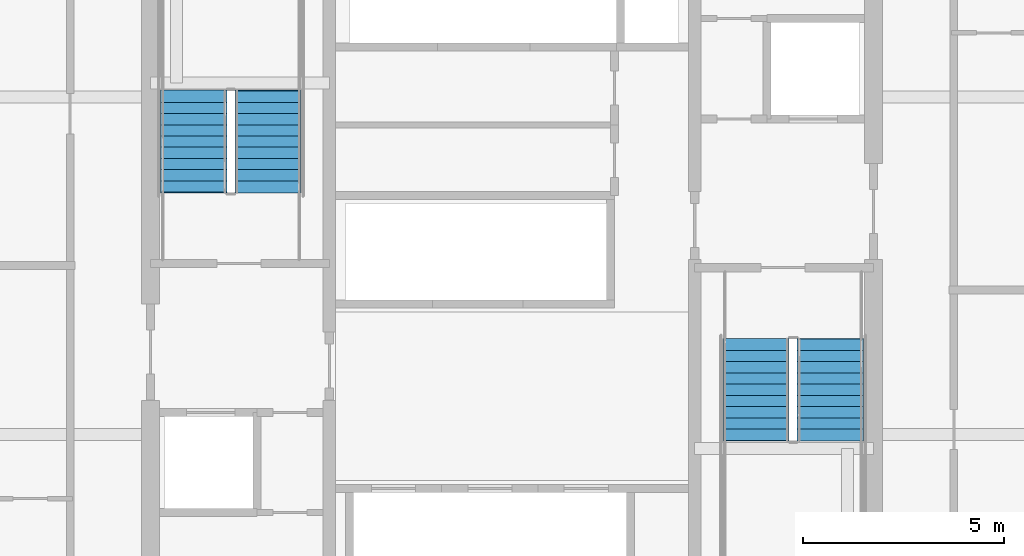
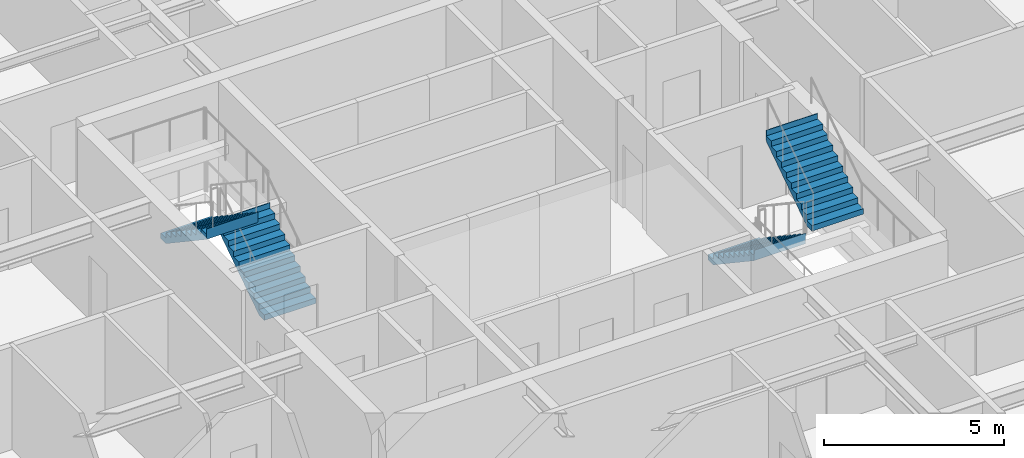
# One storey, part 33 of 38: 4 stair flights, 2 elements without a shape of their own.
"""IFC4 building model written with IfcOpenShell, lengths in metres."""

from ifc_helpers import new_model, si_unit, direction, frame, origin, place, context, subcontext, project, spatial, polygons, material, type_object, element, aggregate, save


model = new_model("IFC4")

# Units and contexts
model_context = context("Model", 3, precision=1e-05, world=origin(), true_north=direction((0.0, 1.0)))
body_context = subcontext(model_context, "Body", "Model", "MODEL_VIEW")
ifc_project = project(units=[si_unit("LENGTHUNIT", "METRE"), si_unit("AREAUNIT", "SQUARE_METRE"), si_unit("VOLUMEUNIT", "CUBIC_METRE"), si_unit("PLANEANGLEUNIT", "RADIAN"), si_unit("MASSUNIT", "GRAM", prefix="KILO")], contexts=[model_context])

# Site, building, storey
site_placement = place(None, origin())
site = spatial("IfcSite", under=ifc_project, at=site_placement, CompositionType="ELEMENT")
building_placement = place(site_placement, origin())
building = spatial("IfcBuilding", under=site, at=building_placement, Name="Serunith Strait Residences", CompositionType="ELEMENT")
storey_placement = place(building_placement, frame((0.0, 0.0, 37.949951171875)))
storey = spatial("IfcBuildingStorey", under=building, at=storey_placement, Name="L08", CompositionType="ELEMENT", Elevation=37.949951171875)

# Stair, stair flights
ifc_material = material(Name="Concrete C50/60", Category="concrete")
stair_type_1 = type_object("IfcStairType", Name="STR-CORE-1", PredefinedType="HALF_TURN_STAIR", material=ifc_material)
stair_1_placement = place(storey_placement, origin())
stair_1 = element("IfcStair", 1, at=stair_1_placement, inside=storey, type_object=stair_type_1, Name="L08 Protected Escape Stair ST-1", PredefinedType="HALF_TURN_STAIR")
stair_flight_type_1 = type_object("IfcStairFlightType", Name="FLT-CORE-1", PredefinedType="STRAIGHT", material=ifc_material)
stair_flight_1_placement = place(storey_placement, frame((26.324951171875, 27.030029296875, 0.0), z_axis=(0.0, 0.0, 1.0), x_axis=(0.0, 1.0, 0.0)))
stair_flight_1 = element("IfcStairFlight", 2, at=stair_flight_1_placement, type_object=stair_flight_type_1, Name="ST-1 flight 1", NumberOfRisers=10, NumberOfTreads=9, PredefinedType="STRAIGHT", RiserHeight=0.1875, TreadLength=0.28, context=body_context, shape_type="Tessellation", body=[
    polygons([(-0.02001953125, -0.824951171875, 0.0), (-0.02001953125, -0.824951171875, 0.1875), (0.280029296875, -0.824951171875, 0.1875), (0.280029296875, -0.824951171875, 0.375), (0.56005859375, -0.824951171875, 0.375), (0.56005859375, -0.824951171875, 0.5625), (0.840087890625, -0.824951171875, 0.5625), (0.840087890625, -0.824951171875, 0.75), (1.1201171875, -0.824951171875, 0.75), (1.1201171875, -0.824951171875, 0.9375), (1.39990234375, -0.824951171875, 0.9375), (1.39990234375, -0.824951171875, 1.125), (1.679931640625, -0.824951171875, 1.125), (1.679931640625, -0.824951171875, 1.3125), (1.9599609375, -0.824951171875, 1.3125), (1.9599609375, -0.824951171875, 1.5), (2.239990234375, -0.824951171875, 1.5), (2.239990234375, -0.824951171875, 1.6875), (2.52001953125, -0.824951171875, 1.6875), (2.52001953125, -0.824951171875, 1.875), (2.5400390625, -0.824951171875, 1.875), (2.5400390625, -0.824951171875, 1.81494140625), (2.52001953125, -0.824951171875, 1.507080078125), (0.26953125, -0.824951171875, 0.0), (-0.02001953125, -0.41259765625, 0.0), (-0.02001953125, -0.41259765625, 0.1875), (0.280029296875, -0.41259765625, 0.1875), (0.280029296875, -0.41259765625, 0.375), (0.56005859375, -0.41259765625, 0.375), (0.56005859375, -0.41259765625, 0.5625), (0.840087890625, -0.41259765625, 0.5625), (0.840087890625, -0.41259765625, 0.75), (1.1201171875, -0.41259765625, 0.75), (1.1201171875, -0.41259765625, 0.9375), (1.39990234375, -0.41259765625, 0.9375), (1.39990234375, -0.41259765625, 1.125), (1.679931640625, -0.41259765625, 1.125), (1.679931640625, -0.41259765625, 1.3125), (1.9599609375, -0.41259765625, 1.3125), (1.9599609375, -0.41259765625, 1.5), (2.239990234375, -0.41259765625, 1.5), (2.239990234375, -0.41259765625, 1.6875), (2.52001953125, -0.41259765625, 1.6875), (2.52001953125, -0.41259765625, 1.875), (2.5400390625, -0.41259765625, 1.875), (2.5400390625, -0.41259765625, 1.81494140625), (2.52001953125, -0.41259765625, 1.507080078125), (0.26953125, -0.41259765625, 0.0), (-0.02001953125, 0.0, 0.0), (-0.02001953125, 0.0, 0.1875), (0.280029296875, 0.0, 0.1875), (0.280029296875, 0.0, 0.375), (0.56005859375, 0.0, 0.375), (0.56005859375, 0.0, 0.5625), (0.840087890625, 0.0, 0.5625), (0.840087890625, 0.0, 0.75), (1.1201171875, 0.0, 0.75), (1.1201171875, 0.0, 0.9375), (1.39990234375, 0.0, 0.9375), (1.39990234375, 0.0, 1.125), (1.679931640625, 0.0, 1.125), (1.679931640625, 0.0, 1.3125), (1.9599609375, 0.0, 1.3125), (1.9599609375, 0.0, 1.5), (2.239990234375, 0.0, 1.5), (2.239990234375, 0.0, 1.6875), (2.52001953125, 0.0, 1.6875), (2.52001953125, 0.0, 1.875), (2.5400390625, 0.0, 1.875), (2.5400390625, 0.0, 1.81494140625), (2.52001953125, 0.0, 1.507080078125), (0.26953125, 0.0, 0.0), (-0.02001953125, 0.41259765625, 0.0), (-0.02001953125, 0.41259765625, 0.1875), (0.280029296875, 0.41259765625, 0.1875), (0.280029296875, 0.41259765625, 0.375), (0.56005859375, 0.41259765625, 0.375), (0.56005859375, 0.41259765625, 0.5625), (0.840087890625, 0.41259765625, 0.5625), (0.840087890625, 0.41259765625, 0.75), (1.1201171875, 0.41259765625, 0.75), (1.1201171875, 0.41259765625, 0.9375), (1.39990234375, 0.41259765625, 0.9375), (1.39990234375, 0.41259765625, 1.125), (1.679931640625, 0.41259765625, 1.125), (1.679931640625, 0.41259765625, 1.3125), (1.9599609375, 0.41259765625, 1.3125), (1.9599609375, 0.41259765625, 1.5), (2.239990234375, 0.41259765625, 1.5), (2.239990234375, 0.41259765625, 1.6875), (2.52001953125, 0.41259765625, 1.6875), (2.52001953125, 0.41259765625, 1.875), (2.5400390625, 0.41259765625, 1.875), (2.5400390625, 0.41259765625, 1.81494140625), (2.52001953125, 0.41259765625, 1.507080078125), (0.26953125, 0.41259765625, 0.0), (-0.02001953125, 0.824951171875, 0.0), (-0.02001953125, 0.824951171875, 0.1875), (0.280029296875, 0.824951171875, 0.1875), (0.280029296875, 0.824951171875, 0.375), (0.56005859375, 0.824951171875, 0.375), (0.56005859375, 0.824951171875, 0.5625), (0.840087890625, 0.824951171875, 0.5625), (0.840087890625, 0.824951171875, 0.75), (1.1201171875, 0.824951171875, 0.75), (1.1201171875, 0.824951171875, 0.9375), (1.39990234375, 0.824951171875, 0.9375), (1.39990234375, 0.824951171875, 1.125), (1.679931640625, 0.824951171875, 1.125), (1.679931640625, 0.824951171875, 1.3125), (1.9599609375, 0.824951171875, 1.3125), (1.9599609375, 0.824951171875, 1.5), (2.239990234375, 0.824951171875, 1.5), (2.239990234375, 0.824951171875, 1.6875), (2.52001953125, 0.824951171875, 1.6875), (2.52001953125, 0.824951171875, 1.875), (2.5400390625, 0.824951171875, 1.875), (2.5400390625, 0.824951171875, 1.81494140625), (2.52001953125, 0.824951171875, 1.507080078125), (0.26953125, 0.824951171875, 0.0)], [[[1, 2, 26, 25]], [[2, 3, 27, 26]], [[3, 4, 28, 27]], [[4, 5, 29, 28]], [[5, 6, 30, 29]], [[6, 7, 31, 30]], [[7, 8, 32, 31]], [[8, 9, 33, 32]], [[9, 10, 34, 33]], [[10, 11, 35, 34]], [[11, 12, 36, 35]], [[12, 13, 37, 36]], [[13, 14, 38, 37]], [[14, 15, 39, 38]], [[15, 16, 40, 39]], [[16, 17, 41, 40]], [[17, 18, 42, 41]], [[18, 19, 43, 42]], [[19, 20, 44, 43]], [[20, 21, 45, 44]], [[21, 22, 46, 45]], [[22, 23, 47, 46]], [[23, 24, 48, 47]], [[24, 1, 25, 48]], [[25, 26, 50, 49]], [[26, 27, 51, 50]], [[27, 28, 52, 51]], [[28, 29, 53, 52]], [[29, 30, 54, 53]], [[30, 31, 55, 54]], [[31, 32, 56, 55]], [[32, 33, 57, 56]], [[33, 34, 58, 57]], [[34, 35, 59, 58]], [[35, 36, 60, 59]], [[36, 37, 61, 60]], [[37, 38, 62, 61]], [[38, 39, 63, 62]], [[39, 40, 64, 63]], [[40, 41, 65, 64]], [[41, 42, 66, 65]], [[42, 43, 67, 66]], [[43, 44, 68, 67]], [[44, 45, 69, 68]], [[45, 46, 70, 69]], [[46, 47, 71, 70]], [[47, 48, 72, 71]], [[48, 25, 49, 72]], [[49, 50, 74, 73]], [[50, 51, 75, 74]], [[51, 52, 76, 75]], [[52, 53, 77, 76]], [[53, 54, 78, 77]], [[54, 55, 79, 78]], [[55, 56, 80, 79]], [[56, 57, 81, 80]], [[57, 58, 82, 81]], [[58, 59, 83, 82]], [[59, 60, 84, 83]], [[60, 61, 85, 84]], [[61, 62, 86, 85]], [[62, 63, 87, 86]], [[63, 64, 88, 87]], [[64, 65, 89, 88]], [[65, 66, 90, 89]], [[66, 67, 91, 90]], [[67, 68, 92, 91]], [[68, 69, 93, 92]], [[69, 70, 94, 93]], [[70, 71, 95, 94]], [[71, 72, 96, 95]], [[72, 49, 73, 96]], [[73, 74, 98, 97]], [[74, 75, 99, 98]], [[75, 76, 100, 99]], [[76, 77, 101, 100]], [[77, 78, 102, 101]], [[78, 79, 103, 102]], [[79, 80, 104, 103]], [[80, 81, 105, 104]], [[81, 82, 106, 105]], [[82, 83, 107, 106]], [[83, 84, 108, 107]], [[84, 85, 109, 108]], [[85, 86, 110, 109]], [[86, 87, 111, 110]], [[87, 88, 112, 111]], [[88, 89, 113, 112]], [[89, 90, 114, 113]], [[90, 91, 115, 114]], [[91, 92, 116, 115]], [[92, 93, 117, 116]], [[93, 94, 118, 117]], [[94, 95, 119, 118]], [[95, 96, 120, 119]], [[96, 73, 97, 120]], [[24, 23, 22, 21, 20, 19, 18, 17, 16, 15, 14, 13, 12, 11, 10, 9, 8, 7, 6, 5, 4, 3, 2, 1]], [[97, 98, 99, 100, 101, 102, 103, 104, 105, 106, 107, 108, 109, 110, 111, 112, 113, 114, 115, 116, 117, 118, 119, 120]]], closed=True),
])
stair_flight_2_placement = place(storey_placement, frame((24.47509765625, 29.550048828125, 1.875), z_axis=(0.0, 0.0, 1.0), x_axis=(0.0, -1.0, 0.0)))
stair_flight_2 = element("IfcStairFlight", 3, at=stair_flight_2_placement, type_object=stair_flight_type_1, Name="ST-1 flight 2", NumberOfRisers=10, NumberOfTreads=9, PredefinedType="STRAIGHT", RiserHeight=0.1875, TreadLength=0.28, context=body_context, shape_type="Tessellation", body=[
    polygons([(-0.02001953125, -0.824951171875, 0.0), (-0.02001953125, -0.824951171875, 0.1875), (0.280029296875, -0.824951171875, 0.1875), (0.280029296875, -0.824951171875, 0.375), (0.56005859375, -0.824951171875, 0.375), (0.56005859375, -0.824951171875, 0.5625), (0.840087890625, -0.824951171875, 0.5625), (0.840087890625, -0.824951171875, 0.75), (1.1201171875, -0.824951171875, 0.75), (1.1201171875, -0.824951171875, 0.9375), (1.39990234375, -0.824951171875, 0.9375), (1.39990234375, -0.824951171875, 1.125), (1.679931640625, -0.824951171875, 1.125), (1.679931640625, -0.824951171875, 1.3125), (1.9599609375, -0.824951171875, 1.3125), (1.9599609375, -0.824951171875, 1.5), (2.239990234375, -0.824951171875, 1.5), (2.239990234375, -0.824951171875, 1.6875), (2.52001953125, -0.824951171875, 1.6875), (2.52001953125, -0.824951171875, 1.875), (2.5400390625, -0.824951171875, 1.875), (2.5400390625, -0.824951171875, 1.81494140625), (2.52001953125, -0.824951171875, 1.507080078125), (0.26953125, -0.824951171875, 0.0), (-0.02001953125, -0.41259765625, 0.0), (-0.02001953125, -0.41259765625, 0.1875), (0.280029296875, -0.41259765625, 0.1875), (0.280029296875, -0.41259765625, 0.375), (0.56005859375, -0.41259765625, 0.375), (0.56005859375, -0.41259765625, 0.5625), (0.840087890625, -0.41259765625, 0.5625), (0.840087890625, -0.41259765625, 0.75), (1.1201171875, -0.41259765625, 0.75), (1.1201171875, -0.41259765625, 0.9375), (1.39990234375, -0.41259765625, 0.9375), (1.39990234375, -0.41259765625, 1.125), (1.679931640625, -0.41259765625, 1.125), (1.679931640625, -0.41259765625, 1.3125), (1.9599609375, -0.41259765625, 1.3125), (1.9599609375, -0.41259765625, 1.5), (2.239990234375, -0.41259765625, 1.5), (2.239990234375, -0.41259765625, 1.6875), (2.52001953125, -0.41259765625, 1.6875), (2.52001953125, -0.41259765625, 1.875), (2.5400390625, -0.41259765625, 1.875), (2.5400390625, -0.41259765625, 1.81494140625), (2.52001953125, -0.41259765625, 1.507080078125), (0.26953125, -0.41259765625, 0.0), (-0.02001953125, 0.0, 0.0), (-0.02001953125, 0.0, 0.1875), (0.280029296875, 0.0, 0.1875), (0.280029296875, 0.0, 0.375), (0.56005859375, 0.0, 0.375), (0.56005859375, 0.0, 0.5625), (0.840087890625, 0.0, 0.5625), (0.840087890625, 0.0, 0.75), (1.1201171875, 0.0, 0.75), (1.1201171875, 0.0, 0.9375), (1.39990234375, 0.0, 0.9375), (1.39990234375, 0.0, 1.125), (1.679931640625, 0.0, 1.125), (1.679931640625, 0.0, 1.3125), (1.9599609375, 0.0, 1.3125), (1.9599609375, 0.0, 1.5), (2.239990234375, 0.0, 1.5), (2.239990234375, 0.0, 1.6875), (2.52001953125, 0.0, 1.6875), (2.52001953125, 0.0, 1.875), (2.5400390625, 0.0, 1.875), (2.5400390625, 0.0, 1.81494140625), (2.52001953125, 0.0, 1.507080078125), (0.26953125, 0.0, 0.0), (-0.02001953125, 0.41259765625, 0.0), (-0.02001953125, 0.41259765625, 0.1875), (0.280029296875, 0.41259765625, 0.1875), (0.280029296875, 0.41259765625, 0.375), (0.56005859375, 0.41259765625, 0.375), (0.56005859375, 0.41259765625, 0.5625), (0.840087890625, 0.41259765625, 0.5625), (0.840087890625, 0.41259765625, 0.75), (1.1201171875, 0.41259765625, 0.75), (1.1201171875, 0.41259765625, 0.9375), (1.39990234375, 0.41259765625, 0.9375), (1.39990234375, 0.41259765625, 1.125), (1.679931640625, 0.41259765625, 1.125), (1.679931640625, 0.41259765625, 1.3125), (1.9599609375, 0.41259765625, 1.3125), (1.9599609375, 0.41259765625, 1.5), (2.239990234375, 0.41259765625, 1.5), (2.239990234375, 0.41259765625, 1.6875), (2.52001953125, 0.41259765625, 1.6875), (2.52001953125, 0.41259765625, 1.875), (2.5400390625, 0.41259765625, 1.875), (2.5400390625, 0.41259765625, 1.81494140625), (2.52001953125, 0.41259765625, 1.507080078125), (0.26953125, 0.41259765625, 0.0), (-0.02001953125, 0.824951171875, 0.0), (-0.02001953125, 0.824951171875, 0.1875), (0.280029296875, 0.824951171875, 0.1875), (0.280029296875, 0.824951171875, 0.375), (0.56005859375, 0.824951171875, 0.375), (0.56005859375, 0.824951171875, 0.5625), (0.840087890625, 0.824951171875, 0.5625), (0.840087890625, 0.824951171875, 0.75), (1.1201171875, 0.824951171875, 0.75), (1.1201171875, 0.824951171875, 0.9375), (1.39990234375, 0.824951171875, 0.9375), (1.39990234375, 0.824951171875, 1.125), (1.679931640625, 0.824951171875, 1.125), (1.679931640625, 0.824951171875, 1.3125), (1.9599609375, 0.824951171875, 1.3125), (1.9599609375, 0.824951171875, 1.5), (2.239990234375, 0.824951171875, 1.5), (2.239990234375, 0.824951171875, 1.6875), (2.52001953125, 0.824951171875, 1.6875), (2.52001953125, 0.824951171875, 1.875), (2.5400390625, 0.824951171875, 1.875), (2.5400390625, 0.824951171875, 1.81494140625), (2.52001953125, 0.824951171875, 1.507080078125), (0.26953125, 0.824951171875, 0.0)], [[[1, 2, 26, 25]], [[2, 3, 27, 26]], [[3, 4, 28, 27]], [[4, 5, 29, 28]], [[5, 6, 30, 29]], [[6, 7, 31, 30]], [[7, 8, 32, 31]], [[8, 9, 33, 32]], [[9, 10, 34, 33]], [[10, 11, 35, 34]], [[11, 12, 36, 35]], [[12, 13, 37, 36]], [[13, 14, 38, 37]], [[14, 15, 39, 38]], [[15, 16, 40, 39]], [[16, 17, 41, 40]], [[17, 18, 42, 41]], [[18, 19, 43, 42]], [[19, 20, 44, 43]], [[20, 21, 45, 44]], [[21, 22, 46, 45]], [[22, 23, 47, 46]], [[23, 24, 48, 47]], [[24, 1, 25, 48]], [[25, 26, 50, 49]], [[26, 27, 51, 50]], [[27, 28, 52, 51]], [[28, 29, 53, 52]], [[29, 30, 54, 53]], [[30, 31, 55, 54]], [[31, 32, 56, 55]], [[32, 33, 57, 56]], [[33, 34, 58, 57]], [[34, 35, 59, 58]], [[35, 36, 60, 59]], [[36, 37, 61, 60]], [[37, 38, 62, 61]], [[38, 39, 63, 62]], [[39, 40, 64, 63]], [[40, 41, 65, 64]], [[41, 42, 66, 65]], [[42, 43, 67, 66]], [[43, 44, 68, 67]], [[44, 45, 69, 68]], [[45, 46, 70, 69]], [[46, 47, 71, 70]], [[47, 48, 72, 71]], [[48, 25, 49, 72]], [[49, 50, 74, 73]], [[50, 51, 75, 74]], [[51, 52, 76, 75]], [[52, 53, 77, 76]], [[53, 54, 78, 77]], [[54, 55, 79, 78]], [[55, 56, 80, 79]], [[56, 57, 81, 80]], [[57, 58, 82, 81]], [[58, 59, 83, 82]], [[59, 60, 84, 83]], [[60, 61, 85, 84]], [[61, 62, 86, 85]], [[62, 63, 87, 86]], [[63, 64, 88, 87]], [[64, 65, 89, 88]], [[65, 66, 90, 89]], [[66, 67, 91, 90]], [[67, 68, 92, 91]], [[68, 69, 93, 92]], [[69, 70, 94, 93]], [[70, 71, 95, 94]], [[71, 72, 96, 95]], [[72, 49, 73, 96]], [[73, 74, 98, 97]], [[74, 75, 99, 98]], [[75, 76, 100, 99]], [[76, 77, 101, 100]], [[77, 78, 102, 101]], [[78, 79, 103, 102]], [[79, 80, 104, 103]], [[80, 81, 105, 104]], [[81, 82, 106, 105]], [[82, 83, 107, 106]], [[83, 84, 108, 107]], [[84, 85, 109, 108]], [[85, 86, 110, 109]], [[86, 87, 111, 110]], [[87, 88, 112, 111]], [[88, 89, 113, 112]], [[89, 90, 114, 113]], [[90, 91, 115, 114]], [[91, 92, 116, 115]], [[92, 93, 117, 116]], [[93, 94, 118, 117]], [[94, 95, 119, 118]], [[95, 96, 120, 119]], [[96, 73, 97, 120]], [[24, 23, 22, 21, 20, 19, 18, 17, 16, 15, 14, 13, 12, 11, 10, 9, 8, 7, 6, 5, 4, 3, 2, 1]], [[97, 98, 99, 100, 101, 102, 103, 104, 105, 106, 107, 108, 109, 110, 111, 112, 113, 114, 115, 116, 117, 118, 119, 120]]], closed=True),
])
aggregate(stair_1, [stair_flight_1, stair_flight_2])

stair_type_2 = type_object("IfcStairType", Name="STR-CORE-2", PredefinedType="HALF_TURN_STAIR", material=ifc_material)
stair_2_placement = place(storey_placement, origin())
stair_2 = element("IfcStair", 4, at=stair_2_placement, inside=storey, type_object=stair_type_2, Name="L08 Protected Escape Stair ST-2", PredefinedType="HALF_TURN_STAIR")
stair_flight_type_2 = type_object("IfcStairFlightType", Name="FLT-CORE-2", PredefinedType="STRAIGHT", material=ifc_material)
stair_flight_3_placement = place(storey_placement, frame((38.47509765625, 23.3701171875, 0.0), z_axis=(0.0, 0.0, 1.0), x_axis=(0.0, -1.0, 0.0)))
stair_flight_3 = element("IfcStairFlight", 5, at=stair_flight_3_placement, type_object=stair_flight_type_2, Name="ST-2 flight 1", NumberOfRisers=10, NumberOfTreads=9, PredefinedType="STRAIGHT", RiserHeight=0.1875, TreadLength=0.28, context=body_context, shape_type="Tessellation", body=[
    polygons([(-0.02001953125, -0.824951171875, 0.0), (-0.02001953125, -0.824951171875, 0.1875), (0.280029296875, -0.824951171875, 0.1875), (0.280029296875, -0.824951171875, 0.375), (0.56005859375, -0.824951171875, 0.375), (0.56005859375, -0.824951171875, 0.5625), (0.840087890625, -0.824951171875, 0.5625), (0.840087890625, -0.824951171875, 0.75), (1.1201171875, -0.824951171875, 0.75), (1.1201171875, -0.824951171875, 0.9375), (1.39990234375, -0.824951171875, 0.9375), (1.39990234375, -0.824951171875, 1.125), (1.679931640625, -0.824951171875, 1.125), (1.679931640625, -0.824951171875, 1.3125), (1.9599609375, -0.824951171875, 1.3125), (1.9599609375, -0.824951171875, 1.5), (2.239990234375, -0.824951171875, 1.5), (2.239990234375, -0.824951171875, 1.6875), (2.52001953125, -0.824951171875, 1.6875), (2.52001953125, -0.824951171875, 1.875), (2.5400390625, -0.824951171875, 1.875), (2.5400390625, -0.824951171875, 1.81494140625), (2.52001953125, -0.824951171875, 1.507080078125), (0.26953125, -0.824951171875, 0.0), (-0.02001953125, -0.41259765625, 0.0), (-0.02001953125, -0.41259765625, 0.1875), (0.280029296875, -0.41259765625, 0.1875), (0.280029296875, -0.41259765625, 0.375), (0.56005859375, -0.41259765625, 0.375), (0.56005859375, -0.41259765625, 0.5625), (0.840087890625, -0.41259765625, 0.5625), (0.840087890625, -0.41259765625, 0.75), (1.1201171875, -0.41259765625, 0.75), (1.1201171875, -0.41259765625, 0.9375), (1.39990234375, -0.41259765625, 0.9375), (1.39990234375, -0.41259765625, 1.125), (1.679931640625, -0.41259765625, 1.125), (1.679931640625, -0.41259765625, 1.3125), (1.9599609375, -0.41259765625, 1.3125), (1.9599609375, -0.41259765625, 1.5), (2.239990234375, -0.41259765625, 1.5), (2.239990234375, -0.41259765625, 1.6875), (2.52001953125, -0.41259765625, 1.6875), (2.52001953125, -0.41259765625, 1.875), (2.5400390625, -0.41259765625, 1.875), (2.5400390625, -0.41259765625, 1.81494140625), (2.52001953125, -0.41259765625, 1.507080078125), (0.26953125, -0.41259765625, 0.0), (-0.02001953125, 0.0, 0.0), (-0.02001953125, 0.0, 0.1875), (0.280029296875, 0.0, 0.1875), (0.280029296875, 0.0, 0.375), (0.56005859375, 0.0, 0.375), (0.56005859375, 0.0, 0.5625), (0.840087890625, 0.0, 0.5625), (0.840087890625, 0.0, 0.75), (1.1201171875, 0.0, 0.75), (1.1201171875, 0.0, 0.9375), (1.39990234375, 0.0, 0.9375), (1.39990234375, 0.0, 1.125), (1.679931640625, 0.0, 1.125), (1.679931640625, 0.0, 1.3125), (1.9599609375, 0.0, 1.3125), (1.9599609375, 0.0, 1.5), (2.239990234375, 0.0, 1.5), (2.239990234375, 0.0, 1.6875), (2.52001953125, 0.0, 1.6875), (2.52001953125, 0.0, 1.875), (2.5400390625, 0.0, 1.875), (2.5400390625, 0.0, 1.81494140625), (2.52001953125, 0.0, 1.507080078125), (0.26953125, 0.0, 0.0), (-0.02001953125, 0.41259765625, 0.0), (-0.02001953125, 0.41259765625, 0.1875), (0.280029296875, 0.41259765625, 0.1875), (0.280029296875, 0.41259765625, 0.375), (0.56005859375, 0.41259765625, 0.375), (0.56005859375, 0.41259765625, 0.5625), (0.840087890625, 0.41259765625, 0.5625), (0.840087890625, 0.41259765625, 0.75), (1.1201171875, 0.41259765625, 0.75), (1.1201171875, 0.41259765625, 0.9375), (1.39990234375, 0.41259765625, 0.9375), (1.39990234375, 0.41259765625, 1.125), (1.679931640625, 0.41259765625, 1.125), (1.679931640625, 0.41259765625, 1.3125), (1.9599609375, 0.41259765625, 1.3125), (1.9599609375, 0.41259765625, 1.5), (2.239990234375, 0.41259765625, 1.5), (2.239990234375, 0.41259765625, 1.6875), (2.52001953125, 0.41259765625, 1.6875), (2.52001953125, 0.41259765625, 1.875), (2.5400390625, 0.41259765625, 1.875), (2.5400390625, 0.41259765625, 1.81494140625), (2.52001953125, 0.41259765625, 1.507080078125), (0.26953125, 0.41259765625, 0.0), (-0.02001953125, 0.824951171875, 0.0), (-0.02001953125, 0.824951171875, 0.1875), (0.280029296875, 0.824951171875, 0.1875), (0.280029296875, 0.824951171875, 0.375), (0.56005859375, 0.824951171875, 0.375), (0.56005859375, 0.824951171875, 0.5625), (0.840087890625, 0.824951171875, 0.5625), (0.840087890625, 0.824951171875, 0.75), (1.1201171875, 0.824951171875, 0.75), (1.1201171875, 0.824951171875, 0.9375), (1.39990234375, 0.824951171875, 0.9375), (1.39990234375, 0.824951171875, 1.125), (1.679931640625, 0.824951171875, 1.125), (1.679931640625, 0.824951171875, 1.3125), (1.9599609375, 0.824951171875, 1.3125), (1.9599609375, 0.824951171875, 1.5), (2.239990234375, 0.824951171875, 1.5), (2.239990234375, 0.824951171875, 1.6875), (2.52001953125, 0.824951171875, 1.6875), (2.52001953125, 0.824951171875, 1.875), (2.5400390625, 0.824951171875, 1.875), (2.5400390625, 0.824951171875, 1.81494140625), (2.52001953125, 0.824951171875, 1.507080078125), (0.26953125, 0.824951171875, 0.0)], [[[1, 2, 26, 25]], [[2, 3, 27, 26]], [[3, 4, 28, 27]], [[4, 5, 29, 28]], [[5, 6, 30, 29]], [[6, 7, 31, 30]], [[7, 8, 32, 31]], [[8, 9, 33, 32]], [[9, 10, 34, 33]], [[10, 11, 35, 34]], [[11, 12, 36, 35]], [[12, 13, 37, 36]], [[13, 14, 38, 37]], [[14, 15, 39, 38]], [[15, 16, 40, 39]], [[16, 17, 41, 40]], [[17, 18, 42, 41]], [[18, 19, 43, 42]], [[19, 20, 44, 43]], [[20, 21, 45, 44]], [[21, 22, 46, 45]], [[22, 23, 47, 46]], [[23, 24, 48, 47]], [[24, 1, 25, 48]], [[25, 26, 50, 49]], [[26, 27, 51, 50]], [[27, 28, 52, 51]], [[28, 29, 53, 52]], [[29, 30, 54, 53]], [[30, 31, 55, 54]], [[31, 32, 56, 55]], [[32, 33, 57, 56]], [[33, 34, 58, 57]], [[34, 35, 59, 58]], [[35, 36, 60, 59]], [[36, 37, 61, 60]], [[37, 38, 62, 61]], [[38, 39, 63, 62]], [[39, 40, 64, 63]], [[40, 41, 65, 64]], [[41, 42, 66, 65]], [[42, 43, 67, 66]], [[43, 44, 68, 67]], [[44, 45, 69, 68]], [[45, 46, 70, 69]], [[46, 47, 71, 70]], [[47, 48, 72, 71]], [[48, 25, 49, 72]], [[49, 50, 74, 73]], [[50, 51, 75, 74]], [[51, 52, 76, 75]], [[52, 53, 77, 76]], [[53, 54, 78, 77]], [[54, 55, 79, 78]], [[55, 56, 80, 79]], [[56, 57, 81, 80]], [[57, 58, 82, 81]], [[58, 59, 83, 82]], [[59, 60, 84, 83]], [[60, 61, 85, 84]], [[61, 62, 86, 85]], [[62, 63, 87, 86]], [[63, 64, 88, 87]], [[64, 65, 89, 88]], [[65, 66, 90, 89]], [[66, 67, 91, 90]], [[67, 68, 92, 91]], [[68, 69, 93, 92]], [[69, 70, 94, 93]], [[70, 71, 95, 94]], [[71, 72, 96, 95]], [[72, 49, 73, 96]], [[73, 74, 98, 97]], [[74, 75, 99, 98]], [[75, 76, 100, 99]], [[76, 77, 101, 100]], [[77, 78, 102, 101]], [[78, 79, 103, 102]], [[79, 80, 104, 103]], [[80, 81, 105, 104]], [[81, 82, 106, 105]], [[82, 83, 107, 106]], [[83, 84, 108, 107]], [[84, 85, 109, 108]], [[85, 86, 110, 109]], [[86, 87, 111, 110]], [[87, 88, 112, 111]], [[88, 89, 113, 112]], [[89, 90, 114, 113]], [[90, 91, 115, 114]], [[91, 92, 116, 115]], [[92, 93, 117, 116]], [[93, 94, 118, 117]], [[94, 95, 119, 118]], [[95, 96, 120, 119]], [[96, 73, 97, 120]], [[24, 23, 22, 21, 20, 19, 18, 17, 16, 15, 14, 13, 12, 11, 10, 9, 8, 7, 6, 5, 4, 3, 2, 1]], [[97, 98, 99, 100, 101, 102, 103, 104, 105, 106, 107, 108, 109, 110, 111, 112, 113, 114, 115, 116, 117, 118, 119, 120]]], closed=True),
])
stair_flight_4_placement = place(storey_placement, frame((40.324951171875, 20.85009765625, 1.875), z_axis=(0.0, 0.0, 1.0), x_axis=(0.0, 1.0, 0.0)))
stair_flight_4 = element("IfcStairFlight", 6, at=stair_flight_4_placement, type_object=stair_flight_type_2, Name="ST-2 flight 2", NumberOfRisers=10, NumberOfTreads=9, PredefinedType="STRAIGHT", RiserHeight=0.1875, TreadLength=0.28, context=body_context, shape_type="Tessellation", body=[
    polygons([(-0.02001953125, -0.824951171875, 0.0), (-0.02001953125, -0.824951171875, 0.1875), (0.280029296875, -0.824951171875, 0.1875), (0.280029296875, -0.824951171875, 0.375), (0.56005859375, -0.824951171875, 0.375), (0.56005859375, -0.824951171875, 0.5625), (0.840087890625, -0.824951171875, 0.5625), (0.840087890625, -0.824951171875, 0.75), (1.1201171875, -0.824951171875, 0.75), (1.1201171875, -0.824951171875, 0.9375), (1.39990234375, -0.824951171875, 0.9375), (1.39990234375, -0.824951171875, 1.125), (1.679931640625, -0.824951171875, 1.125), (1.679931640625, -0.824951171875, 1.3125), (1.9599609375, -0.824951171875, 1.3125), (1.9599609375, -0.824951171875, 1.5), (2.239990234375, -0.824951171875, 1.5), (2.239990234375, -0.824951171875, 1.6875), (2.52001953125, -0.824951171875, 1.6875), (2.52001953125, -0.824951171875, 1.875), (2.5400390625, -0.824951171875, 1.875), (2.5400390625, -0.824951171875, 1.81494140625), (2.52001953125, -0.824951171875, 1.507080078125), (0.26953125, -0.824951171875, 0.0), (-0.02001953125, -0.41259765625, 0.0), (-0.02001953125, -0.41259765625, 0.1875), (0.280029296875, -0.41259765625, 0.1875), (0.280029296875, -0.41259765625, 0.375), (0.56005859375, -0.41259765625, 0.375), (0.56005859375, -0.41259765625, 0.5625), (0.840087890625, -0.41259765625, 0.5625), (0.840087890625, -0.41259765625, 0.75), (1.1201171875, -0.41259765625, 0.75), (1.1201171875, -0.41259765625, 0.9375), (1.39990234375, -0.41259765625, 0.9375), (1.39990234375, -0.41259765625, 1.125), (1.679931640625, -0.41259765625, 1.125), (1.679931640625, -0.41259765625, 1.3125), (1.9599609375, -0.41259765625, 1.3125), (1.9599609375, -0.41259765625, 1.5), (2.239990234375, -0.41259765625, 1.5), (2.239990234375, -0.41259765625, 1.6875), (2.52001953125, -0.41259765625, 1.6875), (2.52001953125, -0.41259765625, 1.875), (2.5400390625, -0.41259765625, 1.875), (2.5400390625, -0.41259765625, 1.81494140625), (2.52001953125, -0.41259765625, 1.507080078125), (0.26953125, -0.41259765625, 0.0), (-0.02001953125, 0.0, 0.0), (-0.02001953125, 0.0, 0.1875), (0.280029296875, 0.0, 0.1875), (0.280029296875, 0.0, 0.375), (0.56005859375, 0.0, 0.375), (0.56005859375, 0.0, 0.5625), (0.840087890625, 0.0, 0.5625), (0.840087890625, 0.0, 0.75), (1.1201171875, 0.0, 0.75), (1.1201171875, 0.0, 0.9375), (1.39990234375, 0.0, 0.9375), (1.39990234375, 0.0, 1.125), (1.679931640625, 0.0, 1.125), (1.679931640625, 0.0, 1.3125), (1.9599609375, 0.0, 1.3125), (1.9599609375, 0.0, 1.5), (2.239990234375, 0.0, 1.5), (2.239990234375, 0.0, 1.6875), (2.52001953125, 0.0, 1.6875), (2.52001953125, 0.0, 1.875), (2.5400390625, 0.0, 1.875), (2.5400390625, 0.0, 1.81494140625), (2.52001953125, 0.0, 1.507080078125), (0.26953125, 0.0, 0.0), (-0.02001953125, 0.41259765625, 0.0), (-0.02001953125, 0.41259765625, 0.1875), (0.280029296875, 0.41259765625, 0.1875), (0.280029296875, 0.41259765625, 0.375), (0.56005859375, 0.41259765625, 0.375), (0.56005859375, 0.41259765625, 0.5625), (0.840087890625, 0.41259765625, 0.5625), (0.840087890625, 0.41259765625, 0.75), (1.1201171875, 0.41259765625, 0.75), (1.1201171875, 0.41259765625, 0.9375), (1.39990234375, 0.41259765625, 0.9375), (1.39990234375, 0.41259765625, 1.125), (1.679931640625, 0.41259765625, 1.125), (1.679931640625, 0.41259765625, 1.3125), (1.9599609375, 0.41259765625, 1.3125), (1.9599609375, 0.41259765625, 1.5), (2.239990234375, 0.41259765625, 1.5), (2.239990234375, 0.41259765625, 1.6875), (2.52001953125, 0.41259765625, 1.6875), (2.52001953125, 0.41259765625, 1.875), (2.5400390625, 0.41259765625, 1.875), (2.5400390625, 0.41259765625, 1.81494140625), (2.52001953125, 0.41259765625, 1.507080078125), (0.26953125, 0.41259765625, 0.0), (-0.02001953125, 0.824951171875, 0.0), (-0.02001953125, 0.824951171875, 0.1875), (0.280029296875, 0.824951171875, 0.1875), (0.280029296875, 0.824951171875, 0.375), (0.56005859375, 0.824951171875, 0.375), (0.56005859375, 0.824951171875, 0.5625), (0.840087890625, 0.824951171875, 0.5625), (0.840087890625, 0.824951171875, 0.75), (1.1201171875, 0.824951171875, 0.75), (1.1201171875, 0.824951171875, 0.9375), (1.39990234375, 0.824951171875, 0.9375), (1.39990234375, 0.824951171875, 1.125), (1.679931640625, 0.824951171875, 1.125), (1.679931640625, 0.824951171875, 1.3125), (1.9599609375, 0.824951171875, 1.3125), (1.9599609375, 0.824951171875, 1.5), (2.239990234375, 0.824951171875, 1.5), (2.239990234375, 0.824951171875, 1.6875), (2.52001953125, 0.824951171875, 1.6875), (2.52001953125, 0.824951171875, 1.875), (2.5400390625, 0.824951171875, 1.875), (2.5400390625, 0.824951171875, 1.81494140625), (2.52001953125, 0.824951171875, 1.507080078125), (0.26953125, 0.824951171875, 0.0)], [[[1, 2, 26, 25]], [[2, 3, 27, 26]], [[3, 4, 28, 27]], [[4, 5, 29, 28]], [[5, 6, 30, 29]], [[6, 7, 31, 30]], [[7, 8, 32, 31]], [[8, 9, 33, 32]], [[9, 10, 34, 33]], [[10, 11, 35, 34]], [[11, 12, 36, 35]], [[12, 13, 37, 36]], [[13, 14, 38, 37]], [[14, 15, 39, 38]], [[15, 16, 40, 39]], [[16, 17, 41, 40]], [[17, 18, 42, 41]], [[18, 19, 43, 42]], [[19, 20, 44, 43]], [[20, 21, 45, 44]], [[21, 22, 46, 45]], [[22, 23, 47, 46]], [[23, 24, 48, 47]], [[24, 1, 25, 48]], [[25, 26, 50, 49]], [[26, 27, 51, 50]], [[27, 28, 52, 51]], [[28, 29, 53, 52]], [[29, 30, 54, 53]], [[30, 31, 55, 54]], [[31, 32, 56, 55]], [[32, 33, 57, 56]], [[33, 34, 58, 57]], [[34, 35, 59, 58]], [[35, 36, 60, 59]], [[36, 37, 61, 60]], [[37, 38, 62, 61]], [[38, 39, 63, 62]], [[39, 40, 64, 63]], [[40, 41, 65, 64]], [[41, 42, 66, 65]], [[42, 43, 67, 66]], [[43, 44, 68, 67]], [[44, 45, 69, 68]], [[45, 46, 70, 69]], [[46, 47, 71, 70]], [[47, 48, 72, 71]], [[48, 25, 49, 72]], [[49, 50, 74, 73]], [[50, 51, 75, 74]], [[51, 52, 76, 75]], [[52, 53, 77, 76]], [[53, 54, 78, 77]], [[54, 55, 79, 78]], [[55, 56, 80, 79]], [[56, 57, 81, 80]], [[57, 58, 82, 81]], [[58, 59, 83, 82]], [[59, 60, 84, 83]], [[60, 61, 85, 84]], [[61, 62, 86, 85]], [[62, 63, 87, 86]], [[63, 64, 88, 87]], [[64, 65, 89, 88]], [[65, 66, 90, 89]], [[66, 67, 91, 90]], [[67, 68, 92, 91]], [[68, 69, 93, 92]], [[69, 70, 94, 93]], [[70, 71, 95, 94]], [[71, 72, 96, 95]], [[72, 49, 73, 96]], [[73, 74, 98, 97]], [[74, 75, 99, 98]], [[75, 76, 100, 99]], [[76, 77, 101, 100]], [[77, 78, 102, 101]], [[78, 79, 103, 102]], [[79, 80, 104, 103]], [[80, 81, 105, 104]], [[81, 82, 106, 105]], [[82, 83, 107, 106]], [[83, 84, 108, 107]], [[84, 85, 109, 108]], [[85, 86, 110, 109]], [[86, 87, 111, 110]], [[87, 88, 112, 111]], [[88, 89, 113, 112]], [[89, 90, 114, 113]], [[90, 91, 115, 114]], [[91, 92, 116, 115]], [[92, 93, 117, 116]], [[93, 94, 118, 117]], [[94, 95, 119, 118]], [[95, 96, 120, 119]], [[96, 73, 97, 120]], [[24, 23, 22, 21, 20, 19, 18, 17, 16, 15, 14, 13, 12, 11, 10, 9, 8, 7, 6, 5, 4, 3, 2, 1]], [[97, 98, 99, 100, 101, 102, 103, 104, 105, 106, 107, 108, 109, 110, 111, 112, 113, 114, 115, 116, 117, 118, 119, 120]]], closed=True),
])
aggregate(stair_2, [stair_flight_3, stair_flight_4])

save(model, "model.ifc")
